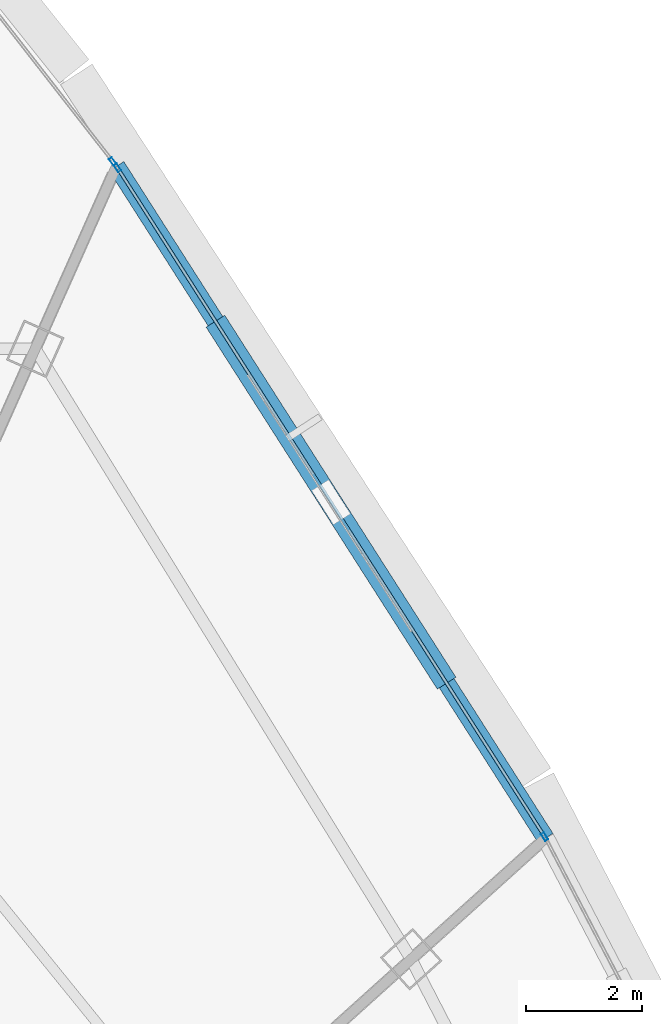
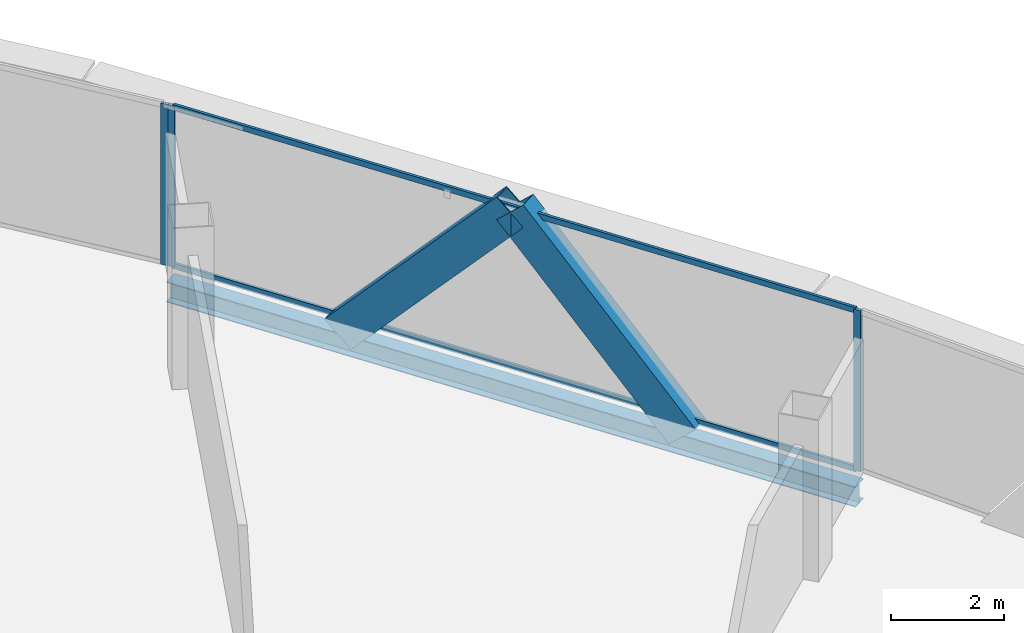
# One storey, part 23 of 37: 7 members, 1 beam, 2 elements without a shape of their own.
"""IFC4 building model written with IfcOpenShell, lengths in metres."""

from ifc_helpers import new_model, si_unit, direction, frame, origin, origin_2d, place, context, subcontext, project, spatial, hollow_rectangle, i_section, extrude, source, transform, mapped, material, layer, layer_set, material_profile, profile_set, type_object, element, aggregate, save


model = new_model("IFC4")

# Units and contexts
model_context = context("Model", 3, precision=1e-05, world=origin(), true_north=direction((0.0, 1.0)))
body_context = subcontext(model_context, "Body", "Model", "MODEL_VIEW")
ifc_project = project(units=[si_unit("LENGTHUNIT", "METRE"), si_unit("AREAUNIT", "SQUARE_METRE"), si_unit("VOLUMEUNIT", "CUBIC_METRE"), si_unit("PLANEANGLEUNIT", "RADIAN"), si_unit("MASSUNIT", "GRAM", prefix="KILO"), si_unit("THERMODYNAMICTEMPERATUREUNIT", "KELVIN"), si_unit("POWERUNIT", "WATT")], contexts=[model_context])

# Site, building, storey
site_placement = place(None, origin())
site = spatial("IfcSite", under=ifc_project, at=site_placement, CompositionType="ELEMENT")
building_placement = place(site_placement, origin())
building = spatial("IfcBuilding", under=site, at=building_placement, Name="Yunzhuo Pagoda Commons", CompositionType="ELEMENT")
storey_placement = place(building_placement, frame((0.0, 0.0, 277.56005859375)))
storey = spatial("IfcBuildingStorey", under=building, at=storey_placement, Name="L69", CompositionType="ELEMENT", Elevation=277.56005859375)

# Beam
ifc_material_1 = material(Name="Structural steel Q355B", Category="steel")
ifc_material_profile_1 = material_profile(ifc_material_1, i_section(OverallWidth=0.300048828125, OverallDepth=0.43994140625, WebThickness=0.010986328125, FlangeThickness=0.01806640625, at=origin_2d()), Name="Structural steel Q355B")
ifc_profile_set_1 = profile_set([ifc_material_profile_1], Name="Structural steel Q355B")
beam_type = type_object("IfcBeamType", Name="B-SP2 Beam HM 440x300x11x18", PredefinedType="BEAM", material=ifc_profile_set_1)
shared_shape_1 = source(origin(), body_context, "Body", "SweptSolid", [
    extrude(i_section(OverallWidth=0.300048828125, OverallDepth=0.43994140625, WebThickness=0.010986328125, FlangeThickness=0.01806640625, at=origin_2d()), origin(), (0.0, 0.0, 1.0), 13.6962890625),
])
beam_placement = place(storey_placement, frame((68.883056640625, 52.5029296875, -0.47998046875), z_axis=(-0.53827499395, 0.842769263137, 0.0), x_axis=(-0.842769263137, -0.53827499395, 0.0)))
element("IfcBeam", 1, at=beam_placement, inside=storey, type_object=beam_type, Name="L69 facade edge spandrel beam F2.3", PredefinedType="BEAM", context=body_context, shape_type="MappedRepresentation", body=[
    mapped(shared_shape_1, transform((0.0, 0.0, 0.0), scale=1.0)),
])

# Members
ifc_material_profile_2 = material_profile(ifc_material_1, hollow_rectangle(XDim=0.3798828125, YDim=0.719970703125, WallThickness=0.02001953125, at=origin_2d()), Name="Structural steel Q355B")
ifc_profile_set_2 = profile_set([ifc_material_profile_2], Name="Structural steel Q355B")
member_type_1 = type_object("IfcMemberType", Name="M-DL3 Brace BOX 720x380x20", PredefinedType="BRACE", material=ifc_profile_set_2)
shared_shape_2 = source(origin(), body_context, "Body", "SweptSolid", [
    extrude(hollow_rectangle(XDim=0.3798828125, YDim=0.719970703125, WallThickness=0.02001953125, at=origin_2d()), origin(), (0.0, 0.0, 1.0), 5.063232421875),
])
for number, where, z_axis, x_axis, name in (
    (2, (67.039794921875, 55.388671875, -0.260009765625), (-0.36400555644, 0.569900870519, 0.736690540637), (-0.842761854784, -0.538286592924, 0.0), "L69 facade diamond brace F2.3L"),
    (3, (63.353759765625, 61.159912109375, -0.260009765625), (0.363995553528, -0.569933427301, 0.736670296304), (0.842782513918, 0.538254246833, 0.0), "L69 facade diamond brace F2.3R"),
):
    element("IfcMember", number, at=place(storey_placement, frame(where, z_axis=z_axis, x_axis=x_axis)), inside=storey, type_object=member_type_1, Name=name, PredefinedType="BRACE", context=body_context, shape_type="MappedRepresentation", body=[
        mapped(shared_shape_2, transform((0.0, 0.0, 0.0), scale=1.0)),
    ])

# Curtain wall, members
ifc_material_2 = material(Name="Anodized aluminium 6063-T6", Category="aluminium")
ifc_layer = layer(ifc_material_2, 0.139892578125)
ifc_layer_set = layer_set([ifc_layer], Name="Anodized aluminium 6063-T6")
curtain_wall_type = type_object("IfcCurtainWallType", Name="CW-HI High-Zone Ribbon Curtain Wall", PredefinedType="NOTDEFINED", material=ifc_layer_set)
curtain_wall_1_placement = place(storey_placement, origin())
curtain_wall_1 = element("IfcCurtainWall", 4, at=curtain_wall_1_placement, inside=storey, type_object=curtain_wall_type, Name="L69 curtain wall CW-L69-F2B4", PredefinedType="NOTDEFINED")
ifc_material_profile_3 = material_profile(ifc_material_2, hollow_rectangle(XDim=0.06005859375, YDim=0.139892578125, WallThickness=0.00341796875, at=origin_2d()), Name="Anodized aluminium 6063-T6")
ifc_profile_set_3 = profile_set([ifc_material_profile_3], Name="Anodized aluminium 6063-T6")
member_type_2 = type_object("IfcMemberType", Name="CW-HI-M Mullion RHS 140x60x3.5", PredefinedType="MULLION", material=ifc_profile_set_3)
shared_shape_3 = source(origin(), body_context, "Body", "SweptSolid", [
    extrude(hollow_rectangle(XDim=0.06005859375, YDim=0.139892578125, WallThickness=0.00341796875, at=origin_2d()), origin(), (0.0, 0.0, 1.0), 3.469970703125),
])
member_1_placement = place(storey_placement, frame((68.866455078125, 52.528076171875, 0.0), z_axis=(0.0, 0.0, 1.0), x_axis=(-0.842779157761, -0.538259501768, 0.0)))
member_1 = element("IfcMember", 5, at=member_1_placement, type_object=member_type_2, Name="CW mullion 1", PredefinedType="MULLION", context=body_context, shape_type="MappedRepresentation", body=[
    mapped(shared_shape_3, transform((0.0, 0.0, 0.0), scale=1.0)),
])
member_2_placement = place(storey_placement, frame((61.527099609375, 64.020263671875, 0.0), z_axis=(0.0, 0.0, 1.0), x_axis=(-0.842779157761, -0.538259501768, 0.0)))
member_2 = element("IfcMember", 6, at=member_2_placement, type_object=member_type_2, Name="CW mullion 2", PredefinedType="MULLION", context=body_context, shape_type="MappedRepresentation", body=[
    mapped(shared_shape_3, transform((0.0, 0.0, 0.0), scale=1.0)),
])

# Curtain wall, member
curtain_wall_2_placement = place(storey_placement, origin())
curtain_wall_2 = element("IfcCurtainWall", 7, at=curtain_wall_2_placement, inside=storey, type_object=curtain_wall_type, Name="L69 curtain wall CW-L69-F2B5", PredefinedType="NOTDEFINED")
member_3_placement = place(storey_placement, frame((61.446044921875, 64.12841796875, 0.0), z_axis=(0.0, 0.0, 1.0), x_axis=(-0.78878314481, -0.614671579353, 0.0)))
member_3 = element("IfcMember", 8, at=member_3_placement, type_object=member_type_2, Name="CW mullion 1", PredefinedType="MULLION", context=body_context, shape_type="MappedRepresentation", body=[
    mapped(shared_shape_3, transform((0.0, 0.0, 0.0), scale=1.0)),
])
aggregate(curtain_wall_2, [member_3])

# Member
ifc_material_profile_4 = material_profile(ifc_material_2, hollow_rectangle(XDim=0.054931640625, YDim=0.1201171875, WallThickness=0.00341796875, at=origin_2d()), Name="Anodized aluminium 6063-T6")
ifc_profile_set_4 = profile_set([ifc_material_profile_4], Name="Anodized aluminium 6063-T6")
member_type_3 = type_object("IfcMemberType", Name="CW-HI-T Transom RHS 120x55x3.5", PredefinedType="USERDEFINED", material=ifc_profile_set_4)
shared_shape_4 = source(origin(), body_context, "Body", "SweptSolid", [
    extrude(hollow_rectangle(XDim=0.054931640625, YDim=0.1201171875, WallThickness=0.00341796875, at=origin_2d()), origin(), (0.0, 0.0, 1.0), 13.575927734375),
])
member_4_placement = place(storey_placement, frame((68.850341796875, 52.553466796875, 0.02734375), z_axis=(-0.538254824974, 0.84278214468, 0.0), x_axis=(-0.84278214468, -0.538254824974, 0.0)))
member_4 = element("IfcMember", 9, at=member_4_placement, type_object=member_type_3, Name="CW transom 1.1", ObjectType="TRANSOM", PredefinedType="USERDEFINED", context=body_context, shape_type="MappedRepresentation", body=[
    mapped(shared_shape_4, transform((0.0, 0.0, 0.0), scale=1.0)),
])

member_5_placement = place(storey_placement, frame((68.850341796875, 52.553466796875, 3.4423828125), z_axis=(-0.538254824974, 0.84278214468, 0.0), x_axis=(-0.84278214468, -0.538254824974, 0.0)))
member_5 = element("IfcMember", 10, at=member_5_placement, type_object=member_type_3, Name="CW transom 1.2", ObjectType="TRANSOM", PredefinedType="USERDEFINED", context=body_context, shape_type="MappedRepresentation", body=[
    mapped(shared_shape_4, transform((0.0, 0.0, 0.0), scale=1.0)),
])

aggregate(curtain_wall_1, [member_1, member_2, member_4, member_5])

save(model, "model.ifc")
